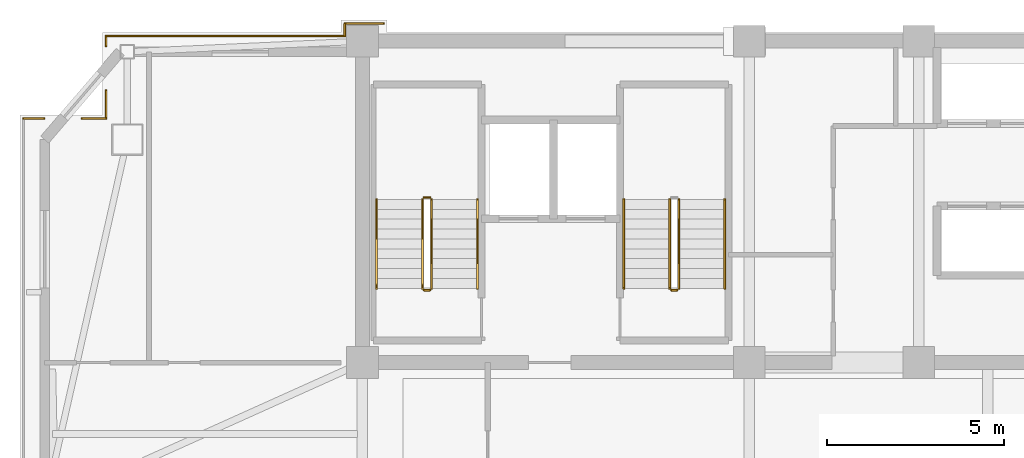
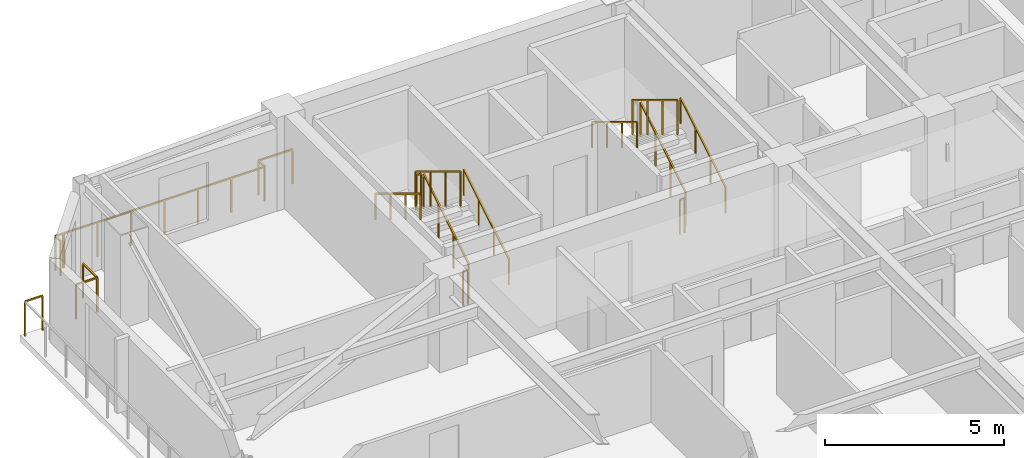
# One storey, part 12 of 14: 19 railings.
"""IFC4 building model written with IfcOpenShell, lengths in metres."""

from ifc_helpers import new_model, si_unit, direction, frame, origin, origin_2d, place, context, subcontext, project, spatial, rectangle, extrude, material, type_object, element, save


model = new_model("IFC4")

# Units and contexts
model_context = context("Model", 3, precision=1e-05, world=origin(), true_north=direction((0.0, 1.0)))
body_context = subcontext(model_context, "Body", "Model", "MODEL_VIEW")
ifc_project = project(units=[si_unit("LENGTHUNIT", "METRE"), si_unit("AREAUNIT", "SQUARE_METRE"), si_unit("VOLUMEUNIT", "CUBIC_METRE"), si_unit("PLANEANGLEUNIT", "RADIAN"), si_unit("MASSUNIT", "GRAM", prefix="KILO")], contexts=[model_context])

# Site, building, storey
site_placement = place(None, origin())
site = spatial("IfcSite", under=ifc_project, at=site_placement, CompositionType="ELEMENT")
building_placement = place(site_placement, origin())
building = spatial("IfcBuilding", under=site, at=building_placement, Name="Giltprow Tower", CompositionType="ELEMENT")
storey_placement = place(building_placement, frame((0.0, 0.0, 317.60009765625)))
storey = spatial("IfcBuildingStorey", under=building, at=storey_placement, Name="L82", CompositionType="ELEMENT", Elevation=317.60009765625)

# Railings
ifc_material = material(Name="Anodized bronze", Category="metal")
railing_type_1 = type_object("IfcRailingType", Name="RAIL-BALC-GUARD-1200", PredefinedType="BALUSTRADE", material=ifc_material)
railing_1_placement = place(storey_placement, frame((10.2548828125, 44.362060546875, 0.0)))
element("IfcRailing", 1, at=railing_1_placement, inside=storey, type_object=railing_type_1, Name="L82 Corner Apron Edge Balustrade 14", PredefinedType="BALUSTRADE", context=body_context, shape_type="SweptSolid", body=[
    extrude(rectangle(XDim=0.048095703125, YDim=0.048095703125, at=origin_2d()), frame((0.0, 0.0, 1.17578125), z_axis=(1.0, 0.0, 0.0), x_axis=(0.0, 1.0, 0.0)), (0.0, 0.0, 1.0), 0.5751953125),
    extrude(rectangle(XDim=0.0419921875, YDim=0.0419921875, at=origin_2d()), origin(), (0.0, 0.0, 1.0), 1.15185546875),
    extrude(rectangle(XDim=0.0419921875, YDim=0.0419921875, at=origin_2d()), frame((0.5751953125, 0.0, 0.0)), (0.0, 0.0, 1.0), 1.15185546875),
])
railing_2_placement = place(storey_placement, frame((11.910888671875, 44.362060546875, 0.0)))
element("IfcRailing", 2, at=railing_2_placement, inside=storey, type_object=railing_type_1, Name="L82 Corner Apron Edge Balustrade 15", PredefinedType="BALUSTRADE", context=body_context, shape_type="SweptSolid", body=[
    extrude(rectangle(XDim=0.048095703125, YDim=0.048095703125, at=origin_2d()), frame((0.0, 0.0, 1.17578125), z_axis=(1.0, 0.0, 0.0), x_axis=(0.0, 1.0, 0.0)), (0.0, 0.0, 1.0), 0.68212890625),
    extrude(rectangle(XDim=0.0419921875, YDim=0.0419921875, at=origin_2d()), origin(), (0.0, 0.0, 1.0), 1.15185546875),
    extrude(rectangle(XDim=0.0419921875, YDim=0.0419921875, at=origin_2d()), frame((0.68212890625, 0.0, 0.0)), (0.0, 0.0, 1.0), 1.15185546875),
])
railing_3_placement = place(storey_placement, frame((12.593017578125, 44.362060546875, 0.0)))
element("IfcRailing", 3, at=railing_3_placement, inside=storey, type_object=railing_type_1, Name="L82 Corner Apron Edge Balustrade 16", PredefinedType="BALUSTRADE", context=body_context, shape_type="SweptSolid", body=[
    extrude(rectangle(XDim=0.048095703125, YDim=0.048095703125, at=origin_2d()), frame((0.0, 0.0, 1.17578125), z_axis=(0.0, 1.0, 0.0), x_axis=(-1.0, 0.0, 0.0)), (0.0, 0.0, 1.0), 0.79296875),
    extrude(rectangle(XDim=0.0419921875, YDim=0.0419921875, at=origin_2d()), origin(), (0.0, 0.0, 1.0), 1.15185546875),
    extrude(rectangle(XDim=0.0419921875, YDim=0.0419921875, at=origin_2d()), frame((0.0, 0.79296875, 0.0)), (0.0, 0.0, 1.0), 1.15185546875),
])
railing_4_placement = place(storey_placement, frame((12.593017578125, 46.4140625, 0.0)))
element("IfcRailing", 4, at=railing_4_placement, inside=storey, type_object=railing_type_1, Name="L82 Corner Apron Edge Balustrade 17", PredefinedType="BALUSTRADE", context=body_context, shape_type="SweptSolid", body=[
    extrude(rectangle(XDim=0.048095703125, YDim=0.048095703125, at=origin_2d()), frame((0.0, 0.0, 1.17578125), z_axis=(0.0, 1.0, 0.0), x_axis=(-1.0, 0.0, 0.0)), (0.0, 0.0, 1.0), 0.285888671875),
    extrude(rectangle(XDim=0.0419921875, YDim=0.0419921875, at=origin_2d()), origin(), (0.0, 0.0, 1.0), 1.15185546875),
    extrude(rectangle(XDim=0.0419921875, YDim=0.0419921875, at=origin_2d()), frame((0.0, 0.285888671875, 0.0)), (0.0, 0.0, 1.0), 1.15185546875),
])
railing_5_placement = place(storey_placement, frame((12.593017578125, 46.699951171875, 0.0)))
element("IfcRailing", 5, at=railing_5_placement, inside=storey, type_object=railing_type_1, Name="L82 Corner Apron Edge Balustrade 18", PredefinedType="BALUSTRADE", context=body_context, shape_type="SweptSolid", body=[
    extrude(rectangle(XDim=0.048095703125, YDim=0.048095703125, at=origin_2d()), frame((0.0, 0.0, 1.17578125), z_axis=(1.0, 0.0, 0.0), x_axis=(0.0, 1.0, 0.0)), (0.0, 0.0, 1.0), 0.24609375),
    extrude(rectangle(XDim=0.0419921875, YDim=0.0419921875, at=origin_2d()), origin(), (0.0, 0.0, 1.0), 1.15185546875),
    extrude(rectangle(XDim=0.0419921875, YDim=0.0419921875, at=origin_2d()), frame((0.24609375, 0.0, 0.0)), (0.0, 0.0, 1.0), 1.15185546875),
])
railing_6_placement = place(storey_placement, frame((12.867919921875, 46.699951171875, 0.0)))
element("IfcRailing", 6, at=railing_6_placement, inside=storey, type_object=railing_type_1, Name="L82 Corner Apron Edge Balustrade 19", PredefinedType="BALUSTRADE", context=body_context, shape_type="SweptSolid", body=[
    extrude(rectangle(XDim=0.048095703125, YDim=0.048095703125, at=origin_2d()), frame((0.0, 0.0, 1.17578125), z_axis=(1.0, 0.0, 0.0), x_axis=(0.0, 1.0, 0.0)), (0.0, 0.0, 1.0), 6.482177734375),
    extrude(rectangle(XDim=0.0419921875, YDim=0.0419921875, at=origin_2d()), origin(), (0.0, 0.0, 1.0), 1.15185546875),
    extrude(rectangle(XDim=0.0419921875, YDim=0.0419921875, at=origin_2d()), frame((1.080322265625, 0.0, 0.0)), (0.0, 0.0, 1.0), 1.15185546875),
    extrude(rectangle(XDim=0.0419921875, YDim=0.0419921875, at=origin_2d()), frame((2.16064453125, 0.0, 0.0)), (0.0, 0.0, 1.0), 1.15185546875),
    extrude(rectangle(XDim=0.0419921875, YDim=0.0419921875, at=origin_2d()), frame((3.2412109375, 0.0, 0.0)), (0.0, 0.0, 1.0), 1.15185546875),
    extrude(rectangle(XDim=0.0419921875, YDim=0.0419921875, at=origin_2d()), frame((4.321533203125, 0.0, 0.0)), (0.0, 0.0, 1.0), 1.15185546875),
    extrude(rectangle(XDim=0.0419921875, YDim=0.0419921875, at=origin_2d()), frame((5.40185546875, 0.0, 0.0)), (0.0, 0.0, 1.0), 1.15185546875),
    extrude(rectangle(XDim=0.0419921875, YDim=0.0419921875, at=origin_2d()), frame((6.482177734375, 0.0, 0.0)), (0.0, 0.0, 1.0), 1.15185546875),
])
railing_7_placement = place(storey_placement, frame((19.35009765625, 46.699951171875, 0.0)))
element("IfcRailing", 7, at=railing_7_placement, inside=storey, type_object=railing_type_1, Name="L82 Corner Apron Edge Balustrade 20", PredefinedType="BALUSTRADE", context=body_context, shape_type="SweptSolid", body=[
    extrude(rectangle(XDim=0.048095703125, YDim=0.048095703125, at=origin_2d()), frame((0.0, 0.0, 1.17578125), z_axis=(0.0, 1.0, 0.0), x_axis=(-1.0, 0.0, 0.0)), (0.0, 0.0, 1.0), 0.35009765625),
    extrude(rectangle(XDim=0.0419921875, YDim=0.0419921875, at=origin_2d()), origin(), (0.0, 0.0, 1.0), 1.15185546875),
    extrude(rectangle(XDim=0.0419921875, YDim=0.0419921875, at=origin_2d()), frame((0.0, 0.35009765625, 0.0)), (0.0, 0.0, 1.0), 1.15185546875),
])
railing_8_placement = place(storey_placement, frame((19.35009765625, 47.050048828125, 0.0)))
element("IfcRailing", 8, at=railing_8_placement, inside=storey, type_object=railing_type_1, Name="L82 Corner Apron Edge Balustrade 21", PredefinedType="BALUSTRADE", context=body_context, shape_type="SweptSolid", body=[
    extrude(rectangle(XDim=0.048095703125, YDim=0.048095703125, at=origin_2d()), frame((0.0, 0.0, 1.17578125), z_axis=(1.0, 0.0, 0.0), x_axis=(0.0, 1.0, 0.0)), (0.0, 0.0, 1.0), 1.099853515625),
    extrude(rectangle(XDim=0.0419921875, YDim=0.0419921875, at=origin_2d()), origin(), (0.0, 0.0, 1.0), 1.15185546875),
    extrude(rectangle(XDim=0.0419921875, YDim=0.0419921875, at=origin_2d()), frame((1.099853515625, 0.0, 0.0)), (0.0, 0.0, 1.0), 1.15185546875),
])
railing_type_2 = type_object("IfcRailingType", Name="RAIL-STAIR-GUARD-1200", PredefinedType="GUARDRAIL", material=ifc_material)
railing_9_placement = place(storey_placement, frame((21.81005859375, 39.550048828125, 0.169921875)))
element("IfcRailing", 9, at=railing_9_placement, inside=storey, type_object=railing_type_2, Name="L82 ST-1 stair guard 1", PredefinedType="GUARDRAIL", context=body_context, shape_type="SweptSolid", body=[
    extrude(rectangle(XDim=0.048095703125, YDim=0.048095703125, at=origin_2d()), frame((0.0, 0.0, 1.17578125), z_axis=(0.0, 0.85478489116, 0.518982456201), x_axis=(-1.0, 0.0, 0.0)), (0.0, 0.0, 1.0), 2.9482421875),
    extrude(rectangle(XDim=0.0419921875, YDim=0.0419921875, at=origin_2d()), origin(), (0.0, 0.0, 1.0), 1.15185546875),
    extrude(rectangle(XDim=0.0419921875, YDim=0.0419921875, at=origin_2d()), frame((0.0, 0.840087890625, 0.510009765625)), (0.0, 0.0, 1.0), 1.15185546875),
    extrude(rectangle(XDim=0.0419921875, YDim=0.0419921875, at=origin_2d()), frame((0.0, 1.679931640625, 1.02001953125)), (0.0, 0.0, 1.0), 1.15185546875),
    extrude(rectangle(XDim=0.0419921875, YDim=0.0419921875, at=origin_2d()), frame((0.0, 2.52001953125, 1.530029296875)), (0.0, 0.0, 1.0), 1.15185546875),
])
railing_10_placement = place(storey_placement, frame((21.760009765625, 42.1201171875, 1.699951171875)))
element("IfcRailing", 10, at=railing_10_placement, inside=storey, type_object=railing_type_2, Name="L82 ST-1 stair guard 2", PredefinedType="GUARDRAIL", context=body_context, shape_type="SweptSolid", body=[
    extrude(rectangle(XDim=0.048095703125, YDim=0.048095703125, at=origin_2d()), frame((0.0, 0.0, 1.17578125), z_axis=(-1.0, 0.0, 0.0), x_axis=(0.0, -1.0, 0.0)), (0.0, 0.0, 1.0), 0.159912109375),
    extrude(rectangle(XDim=0.0419921875, YDim=0.0419921875, at=origin_2d()), origin(), (0.0, 0.0, 1.0), 1.15185546875),
    extrude(rectangle(XDim=0.0419921875, YDim=0.0419921875, at=origin_2d()), frame((-0.159912109375, 0.0, 0.0)), (0.0, 0.0, 1.0), 1.15185546875),
])
railing_11_placement = place(storey_placement, frame((21.550048828125, 42.070068359375, 1.869873046875)))
element("IfcRailing", 11, at=railing_11_placement, inside=storey, type_object=railing_type_2, Name="L82 ST-1 stair guard 3", PredefinedType="GUARDRAIL", context=body_context, shape_type="SweptSolid", body=[
    extrude(rectangle(XDim=0.048095703125, YDim=0.048095703125, at=origin_2d()), frame((0.0, 0.0, 1.17578125), z_axis=(0.0, -0.85478489116, 0.518982456201), x_axis=(1.0, 0.0, 0.0)), (0.0, 0.0, 1.0), 2.9482421875),
    extrude(rectangle(XDim=0.0419921875, YDim=0.0419921875, at=origin_2d()), origin(), (0.0, 0.0, 1.0), 1.15185546875),
    extrude(rectangle(XDim=0.0419921875, YDim=0.0419921875, at=origin_2d()), frame((0.0, -0.840087890625, 0.510009765625)), (0.0, 0.0, 1.0), 1.15185546875),
    extrude(rectangle(XDim=0.0419921875, YDim=0.0419921875, at=origin_2d()), frame((0.0, -1.679931640625, 1.02001953125)), (0.0, 0.0, 1.0), 1.15185546875),
    extrude(rectangle(XDim=0.0419921875, YDim=0.0419921875, at=origin_2d()), frame((0.0, -2.52001953125, 1.530029296875)), (0.0, 0.0, 1.0), 1.15185546875),
])
railing_12_placement = place(storey_placement, frame((21.760009765625, 39.5, 0.0)))
element("IfcRailing", 12, at=railing_12_placement, inside=storey, type_object=railing_type_2, Name="L82 ST-1 stair guard 4", PredefinedType="GUARDRAIL", context=body_context, shape_type="SweptSolid", body=[
    extrude(rectangle(XDim=0.048095703125, YDim=0.048095703125, at=origin_2d()), frame((0.0, 0.0, 1.17578125), z_axis=(-1.0, 0.0, 0.0), x_axis=(0.0, -1.0, 0.0)), (0.0, 0.0, 1.0), 0.159912109375),
    extrude(rectangle(XDim=0.0419921875, YDim=0.0419921875, at=origin_2d()), origin(), (0.0, 0.0, 1.0), 1.15185546875),
    extrude(rectangle(XDim=0.0419921875, YDim=0.0419921875, at=origin_2d()), frame((-0.159912109375, 0.0, 0.0)), (0.0, 0.0, 1.0), 1.15185546875),
])
railing_13_placement = place(storey_placement, frame((28.81005859375, 39.550048828125, 0.169921875)))
element("IfcRailing", 13, at=railing_13_placement, inside=storey, type_object=railing_type_2, Name="L82 ST-2 stair guard 1", PredefinedType="GUARDRAIL", context=body_context, shape_type="SweptSolid", body=[
    extrude(rectangle(XDim=0.048095703125, YDim=0.048095703125, at=origin_2d()), frame((0.0, 0.0, 1.17578125), z_axis=(0.0, 0.85478489116, 0.518982456201), x_axis=(-1.0, 0.0, 0.0)), (0.0, 0.0, 1.0), 2.9482421875),
    extrude(rectangle(XDim=0.0419921875, YDim=0.0419921875, at=origin_2d()), origin(), (0.0, 0.0, 1.0), 1.15185546875),
    extrude(rectangle(XDim=0.0419921875, YDim=0.0419921875, at=origin_2d()), frame((0.0, 0.840087890625, 0.510009765625)), (0.0, 0.0, 1.0), 1.15185546875),
    extrude(rectangle(XDim=0.0419921875, YDim=0.0419921875, at=origin_2d()), frame((0.0, 1.679931640625, 1.02001953125)), (0.0, 0.0, 1.0), 1.15185546875),
    extrude(rectangle(XDim=0.0419921875, YDim=0.0419921875, at=origin_2d()), frame((0.0, 2.52001953125, 1.530029296875)), (0.0, 0.0, 1.0), 1.15185546875),
])
railing_14_placement = place(storey_placement, frame((28.550048828125, 42.070068359375, 1.869873046875)))
element("IfcRailing", 14, at=railing_14_placement, inside=storey, type_object=railing_type_2, Name="L82 ST-2 stair guard 3", PredefinedType="GUARDRAIL", context=body_context, shape_type="SweptSolid", body=[
    extrude(rectangle(XDim=0.048095703125, YDim=0.048095703125, at=origin_2d()), frame((0.0, 0.0, 1.17578125), z_axis=(0.0, -0.85478489116, 0.518982456201), x_axis=(1.0, 0.0, 0.0)), (0.0, 0.0, 1.0), 2.9482421875),
    extrude(rectangle(XDim=0.0419921875, YDim=0.0419921875, at=origin_2d()), origin(), (0.0, 0.0, 1.0), 1.15185546875),
    extrude(rectangle(XDim=0.0419921875, YDim=0.0419921875, at=origin_2d()), frame((0.0, -0.840087890625, 0.510009765625)), (0.0, 0.0, 1.0), 1.15185546875),
    extrude(rectangle(XDim=0.0419921875, YDim=0.0419921875, at=origin_2d()), frame((0.0, -1.679931640625, 1.02001953125)), (0.0, 0.0, 1.0), 1.15185546875),
    extrude(rectangle(XDim=0.0419921875, YDim=0.0419921875, at=origin_2d()), frame((0.0, -2.52001953125, 1.530029296875)), (0.0, 0.0, 1.0), 1.15185546875),
])
railing_15_placement = place(storey_placement, frame((28.760009765625, 39.5, 0.0)))
element("IfcRailing", 15, at=railing_15_placement, inside=storey, type_object=railing_type_2, Name="L82 ST-2 stair guard 4", PredefinedType="GUARDRAIL", context=body_context, shape_type="SweptSolid", body=[
    extrude(rectangle(XDim=0.048095703125, YDim=0.048095703125, at=origin_2d()), frame((0.0, 0.0, 1.17578125), z_axis=(-1.0, 0.0, 0.0), x_axis=(0.0, -1.0, 0.0)), (0.0, 0.0, 1.0), 0.159912109375),
    extrude(rectangle(XDim=0.0419921875, YDim=0.0419921875, at=origin_2d()), origin(), (0.0, 0.0, 1.0), 1.15185546875),
    extrude(rectangle(XDim=0.0419921875, YDim=0.0419921875, at=origin_2d()), frame((-0.159912109375, 0.0, 0.0)), (0.0, 0.0, 1.0), 1.15185546875),
])
railing_type_3 = type_object("IfcRailingType", Name="RAIL-STAIR-HAND-900", PredefinedType="HANDRAIL", material=ifc_material)
railing_16_placement = place(storey_placement, frame((23.110107421875, 39.550048828125, 0.169921875)))
element("IfcRailing", 16, at=railing_16_placement, inside=storey, type_object=railing_type_3, Name="L82 ST-1 stair handrail 1", PredefinedType="HANDRAIL", context=body_context, shape_type="SweptSolid", body=[
    extrude(rectangle(XDim=0.048095703125, YDim=0.048095703125, at=origin_2d()), frame((0.0, 0.0, 0.8759765625), z_axis=(0.0, 0.85478489116, 0.518982456201), x_axis=(-1.0, 0.0, 0.0)), (0.0, 0.0, 1.0), 2.9482421875),
    extrude(rectangle(XDim=0.0419921875, YDim=0.0419921875, at=origin_2d()), origin(), (0.0, 0.0, 1.0), 0.851806640625),
    extrude(rectangle(XDim=0.0419921875, YDim=0.0419921875, at=origin_2d()), frame((0.0, 0.840087890625, 0.510009765625)), (0.0, 0.0, 1.0), 0.851806640625),
    extrude(rectangle(XDim=0.0419921875, YDim=0.0419921875, at=origin_2d()), frame((0.0, 1.679931640625, 1.02001953125)), (0.0, 0.0, 1.0), 0.851806640625),
    extrude(rectangle(XDim=0.0419921875, YDim=0.0419921875, at=origin_2d()), frame((0.0, 2.52001953125, 1.530029296875)), (0.0, 0.0, 1.0), 0.851806640625),
])
railing_17_placement = place(storey_placement, frame((20.25, 42.070068359375, 1.869873046875)))
element("IfcRailing", 17, at=railing_17_placement, inside=storey, type_object=railing_type_3, Name="L82 ST-1 stair handrail 2", PredefinedType="HANDRAIL", context=body_context, shape_type="SweptSolid", body=[
    extrude(rectangle(XDim=0.048095703125, YDim=0.048095703125, at=origin_2d()), frame((0.0, 0.0, 0.8759765625), z_axis=(0.0, -0.85478489116, 0.518982456201), x_axis=(1.0, 0.0, 0.0)), (0.0, 0.0, 1.0), 2.9482421875),
    extrude(rectangle(XDim=0.0419921875, YDim=0.0419921875, at=origin_2d()), origin(), (0.0, 0.0, 1.0), 0.851806640625),
    extrude(rectangle(XDim=0.0419921875, YDim=0.0419921875, at=origin_2d()), frame((0.0, -0.840087890625, 0.510009765625)), (0.0, 0.0, 1.0), 0.851806640625),
    extrude(rectangle(XDim=0.0419921875, YDim=0.0419921875, at=origin_2d()), frame((0.0, -1.679931640625, 1.02001953125)), (0.0, 0.0, 1.0), 0.851806640625),
    extrude(rectangle(XDim=0.0419921875, YDim=0.0419921875, at=origin_2d()), frame((0.0, -2.52001953125, 1.530029296875)), (0.0, 0.0, 1.0), 0.851806640625),
])
railing_18_placement = place(storey_placement, frame((30.110107421875, 39.550048828125, 0.169921875)))
element("IfcRailing", 18, at=railing_18_placement, inside=storey, type_object=railing_type_3, Name="L82 ST-2 stair handrail 1", PredefinedType="HANDRAIL", context=body_context, shape_type="SweptSolid", body=[
    extrude(rectangle(XDim=0.048095703125, YDim=0.048095703125, at=origin_2d()), frame((0.0, 0.0, 0.8759765625), z_axis=(0.0, 0.85478489116, 0.518982456201), x_axis=(-1.0, 0.0, 0.0)), (0.0, 0.0, 1.0), 2.9482421875),
    extrude(rectangle(XDim=0.0419921875, YDim=0.0419921875, at=origin_2d()), origin(), (0.0, 0.0, 1.0), 0.851806640625),
    extrude(rectangle(XDim=0.0419921875, YDim=0.0419921875, at=origin_2d()), frame((0.0, 0.840087890625, 0.510009765625)), (0.0, 0.0, 1.0), 0.851806640625),
    extrude(rectangle(XDim=0.0419921875, YDim=0.0419921875, at=origin_2d()), frame((0.0, 1.679931640625, 1.02001953125)), (0.0, 0.0, 1.0), 0.851806640625),
    extrude(rectangle(XDim=0.0419921875, YDim=0.0419921875, at=origin_2d()), frame((0.0, 2.52001953125, 1.530029296875)), (0.0, 0.0, 1.0), 0.851806640625),
])
railing_19_placement = place(storey_placement, frame((27.25, 42.070068359375, 1.869873046875)))
element("IfcRailing", 19, at=railing_19_placement, inside=storey, type_object=railing_type_3, Name="L82 ST-2 stair handrail 2", PredefinedType="HANDRAIL", context=body_context, shape_type="SweptSolid", body=[
    extrude(rectangle(XDim=0.048095703125, YDim=0.048095703125, at=origin_2d()), frame((0.0, 0.0, 0.8759765625), z_axis=(0.0, -0.85478489116, 0.518982456201), x_axis=(1.0, 0.0, 0.0)), (0.0, 0.0, 1.0), 2.9482421875),
    extrude(rectangle(XDim=0.0419921875, YDim=0.0419921875, at=origin_2d()), origin(), (0.0, 0.0, 1.0), 0.851806640625),
    extrude(rectangle(XDim=0.0419921875, YDim=0.0419921875, at=origin_2d()), frame((0.0, -0.840087890625, 0.510009765625)), (0.0, 0.0, 1.0), 0.851806640625),
    extrude(rectangle(XDim=0.0419921875, YDim=0.0419921875, at=origin_2d()), frame((0.0, -1.679931640625, 1.02001953125)), (0.0, 0.0, 1.0), 0.851806640625),
    extrude(rectangle(XDim=0.0419921875, YDim=0.0419921875, at=origin_2d()), frame((0.0, -2.52001953125, 1.530029296875)), (0.0, 0.0, 1.0), 0.851806640625),
])

save(model, "model.ifc")
